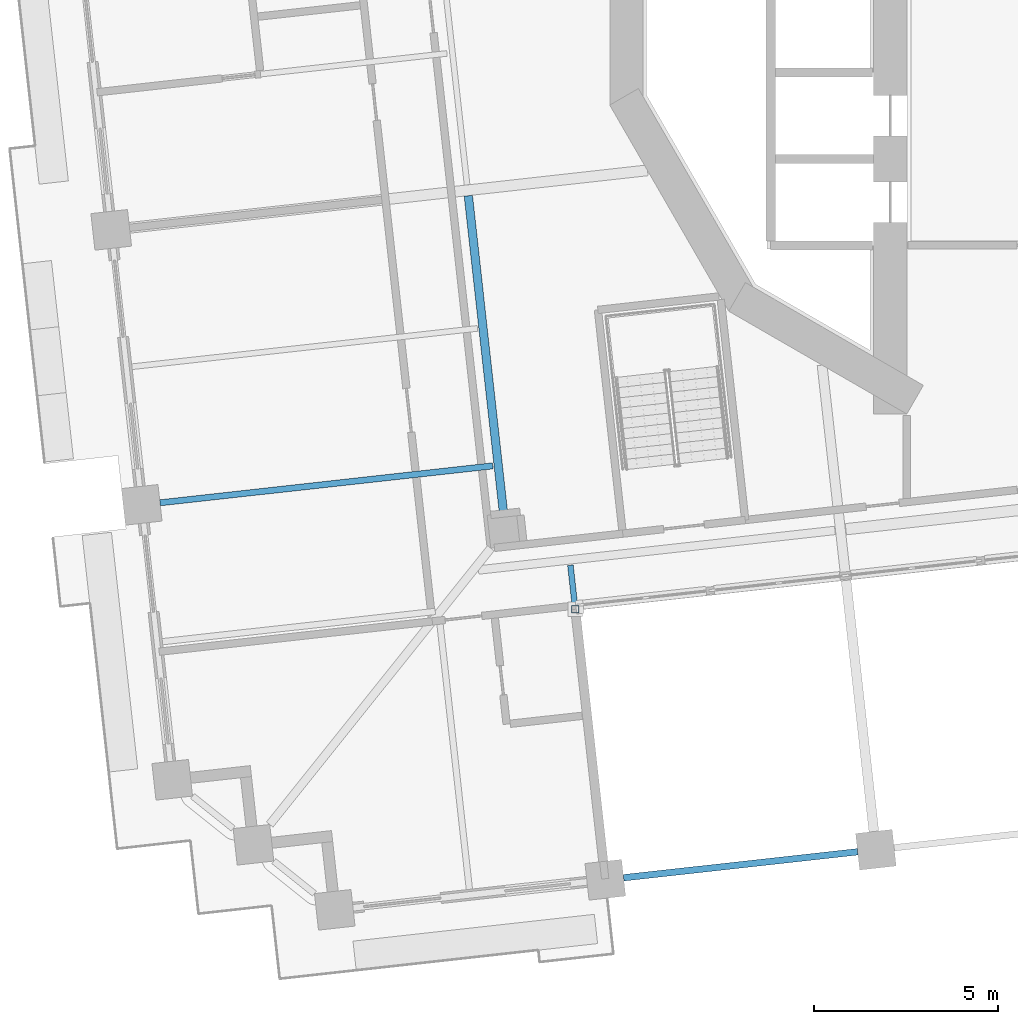
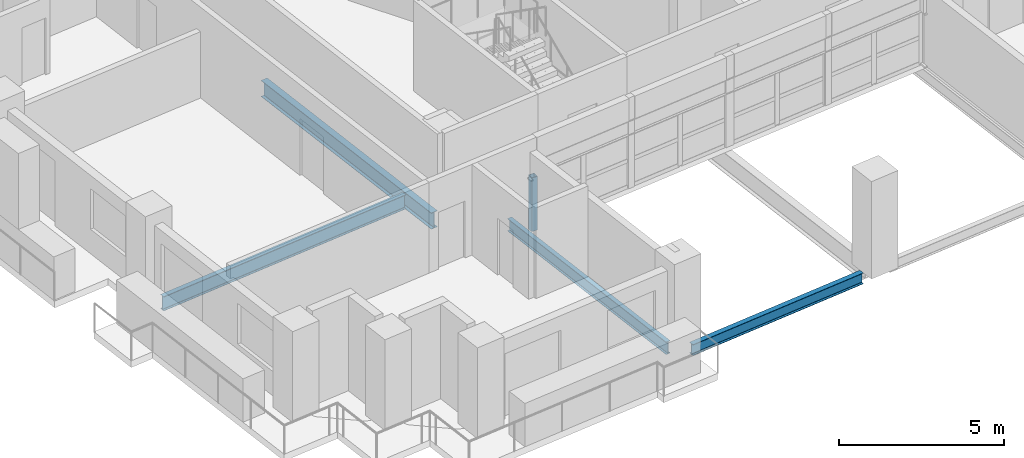
# One storey, part 2 of 21: 4 beams, 1 member.
"""IFC4 building model written with IfcOpenShell, lengths in metres."""

import ifcopenshell
import ifcopenshell.guid

model = None  # the IFC model being written
_history = None  # IfcOwnerHistory: only IFC2X3 demands one
_inside = {}  # id of a spatial element -> (the spatial element, [elements in it])
_under = {}  # id of a project, library or spatial element -> (it, [spatial elements below it])
_declared = {}  # id of a project -> (the project, [libraries it declares])
_typed = {}  # id of a type object -> (the type object, [elements of that type])
_made_of = {}  # id of a material, layer set ... -> (it, [elements and type objects made of it])


def new_model(schema):
    """Start an empty IFC model of exactly this schema.

    Asked for "IFC4X3", IfcOpenShell would pick the latest addendum, in which some entities
    have other attributes; the version numbers below select the first issue.
    IFC2X3 requires an IfcOwnerHistory on every rooted entity: one is made here for all.
    """
    global model, _history
    if schema == "IFC4X3":
        model = ifcopenshell.file(schema_version=(4, 3, 0, 0))
    else:
        model = ifcopenshell.file(schema=schema)
    _inside.clear()
    _under.clear()
    _declared.clear()
    _typed.clear()
    _made_of.clear()
    _history = None
    if model.schema == "IFC2X3":
        org = make("IfcOrganization", Name="unknown")
        user = make(
            "IfcPersonAndOrganization",
            ThePerson=make("IfcPerson", FamilyName="unknown"),
            TheOrganization=org,
        )
        app = make(
            "IfcApplication",
            ApplicationDeveloper=org,
            Version="unknown",
            ApplicationFullName="unknown",
            ApplicationIdentifier="unknown",
        )
        _history = make(
            "IfcOwnerHistory",
            OwningUser=user,
            OwningApplication=app,
            ChangeAction="ADDED",
            CreationDate=0,
        )
    return model


def make(cls, **values):
    """One entity of the class cls with the attributes given. An attribute that is None is left unset."""
    return model.create_entity(
        cls, **{name: value for name, value in values.items() if value is not None}
    )


def rooted(cls, **values):
    """An entity with a GlobalId (a new one), such as an element, a storey or a relation."""
    return make(cls, GlobalId=ifcopenshell.guid.new(), OwnerHistory=_history, **values)


def si_unit(unit_type, name, prefix=None):
    """IfcSIUnit, for example si_unit("LENGTHUNIT", "METRE", prefix="MILLI")."""
    return make("IfcSIUnit", UnitType=unit_type, Prefix=prefix, Name=name)


def assignment(units):
    """IfcUnitAssignment: the units of a project."""
    return None if units is None else make("IfcUnitAssignment", Units=units)


def point(xyz):
    """IfcCartesianPoint."""
    return None if xyz is None else make("IfcCartesianPoint", Coordinates=xyz)


def direction(xyz):
    """IfcDirection."""
    return None if xyz is None else make("IfcDirection", DirectionRatios=xyz)


def frame(location, z_axis=None, x_axis=None):
    """IfcAxis2Placement3D, a coordinate frame: its origin and axes. An axis left out is left unset."""
    return make(
        "IfcAxis2Placement3D",
        Location=point(location),
        Axis=direction(z_axis),
        RefDirection=direction(x_axis),
    )


def frame_2d(location, x_axis=None):
    """IfcAxis2Placement2D, a coordinate frame in the plane: its origin and x axis."""
    return make(
        "IfcAxis2Placement2D", Location=point(location), RefDirection=direction(x_axis)
    )


def origin():
    """The frame at (0, 0, 0) with its axes left unset."""
    return frame((0.0, 0.0, 0.0))


def origin_2d():
    """The frame at (0, 0) in the plane with its x axis left unset."""
    return frame_2d((0.0, 0.0))


def place(relative_to, where):
    """IfcLocalPlacement: puts the frame where relative to a parent placement (None: the world)."""
    return make(
        "IfcLocalPlacement", PlacementRelTo=relative_to, RelativePlacement=where
    )


def context(
    kind, dimensions, precision=None, world=None, true_north=None, identifier=None
):
    """IfcGeometricRepresentationContext, for example the 3D "Model" context."""
    return make(
        "IfcGeometricRepresentationContext",
        ContextIdentifier=identifier,
        ContextType=kind,
        CoordinateSpaceDimension=dimensions,
        Precision=precision,
        WorldCoordinateSystem=world,
        TrueNorth=true_north,
    )


def subcontext(parent, identifier, kind, view, scale=None):
    """IfcGeometricRepresentationSubContext, for example "Body" below "Model"."""
    return make(
        "IfcGeometricRepresentationSubContext",
        ContextIdentifier=identifier,
        ContextType=kind,
        ParentContext=parent,
        TargetScale=scale,
        TargetView=view,
    )


def project(units=None, contexts=None):
    """IfcProject with its units and contexts."""
    return rooted(
        "IfcProject",
        Name="project",
        RepresentationContexts=contexts,
        UnitsInContext=assignment(units),
    )


def spatial(cls, under=None, at=None, **own):
    """A site, building, storey or space (cls), placed at a placement, below another one or the project."""
    s = rooted(cls, ObjectPlacement=at, **own)
    if under is not None:
        _under.setdefault(under.id(), (under, []))[1].append(s)
    return s


def profile(cls, at=None, kind="AREA", **sizes):
    """A parametric profile (cls). Its sizes go by their IFC names, for example OverallWidth=200.0."""
    return make(cls, ProfileType=kind, Position=at, **sizes)


def hollow_rectangle(**sizes):
    """IfcRectangleHollowProfileDef."""
    return profile("IfcRectangleHollowProfileDef", **sizes)


def i_section(**sizes):
    """IfcIShapeProfileDef."""
    return profile("IfcIShapeProfileDef", **sizes)


def extrude(swept, where, along, depth):
    """IfcExtrudedAreaSolid: the profile swept, set in the frame where, extruded along a direction by depth."""
    return make(
        "IfcExtrudedAreaSolid",
        SweptArea=swept,
        Position=where,
        ExtrudedDirection=direction(along),
        Depth=depth,
    )


def shape(context_of_items, identifier, shape_type, items):
    """IfcShapeRepresentation: the items that make up one representation, for example the "Body"."""
    return make(
        "IfcShapeRepresentation",
        ContextOfItems=context_of_items,
        RepresentationIdentifier=identifier,
        RepresentationType=shape_type,
        Items=items,
    )


def material(Name=None, Category=None):
    """IfcMaterial."""
    return make("IfcMaterial", Name=Name, Category=Category)


def material_profile(
    of_material, cross_section, Name=None, Category=None, Priority=None
):
    """IfcMaterialProfile: a cross section and its material."""
    return make(
        "IfcMaterialProfile",
        Name=Name,
        Material=of_material,
        Profile=cross_section,
        Priority=Priority,
        Category=Category,
    )


def profile_set(profiles, Name=None, composite=None):
    """IfcMaterialProfileSet."""
    return make(
        "IfcMaterialProfileSet",
        Name=Name,
        MaterialProfiles=profiles,
        CompositeProfile=composite,
    )


def made_of(thing, what):
    """Note that an element or type object is made of a material, layer set ...; save() writes the relation."""
    if what is not None:
        _made_of.setdefault(what.id(), (what, []))[1].append(thing)
    return thing


def type_object(cls, material=None, **own):
    """A type object (cls), such as IfcWallType, which elements share."""
    return made_of(rooted(cls, **own), material)


def element(
    cls,
    number,
    at=None,
    inside=None,
    cuts=None,
    type_object=None,
    material=None,
    context=None,
    identifier="Body",
    shape_type=None,
    held_by="IfcProductDefinitionShape",
    body=None,
    shapes=None,
    **own,
):
    """One element of the class cls, such as IfcWall. Its Tag is "e" and its number.

    at: its placement. inside: the storey or other place that contains it. cuts: it is an
    opening in that element (IfcRelVoidsElement). A single representation is given by context,
    identifier, shape_type and body (its items); several are given by shapes. held_by: the class
    of the entity that holds the representations. save() writes the other relations.
    """
    e = rooted(cls, Tag="e%d" % number, ObjectPlacement=at, **own)
    if body is not None:
        shapes = [shape(context, identifier, shape_type, body)]
    if shapes is not None:
        e.Representation = make(held_by, Representations=shapes)
    if inside is not None:
        _inside.setdefault(inside.id(), (inside, []))[1].append(e)
    if cuts is not None:
        rooted(
            "IfcRelVoidsElement", RelatingBuildingElement=cuts, RelatedOpeningElement=e
        )
    if type_object is not None:
        _typed.setdefault(type_object.id(), (type_object, []))[1].append(e)
    return made_of(e, material)


def aggregate(whole, parts):
    """IfcRelAggregates: a whole, such as a stair, and the parts it consists of."""
    return rooted("IfcRelAggregates", RelatingObject=whole, RelatedObjects=parts)


def save(model, path):
    """Write the relations noted so far, then the file.

    IfcRelAggregates (storeys below a building ...), IfcRelContainedInSpatialStructure (elements
    in a storey), IfcRelDefinesByType, IfcRelAssociatesMaterial and IfcRelDeclares: one each for
    every whole, place, type object, material and project.
    """
    for whole, parts in _under.values():
        aggregate(whole, parts)
    for where, things in _inside.values():
        rooted(
            "IfcRelContainedInSpatialStructure",
            RelatedElements=things,
            RelatingStructure=where,
        )
    for kind, things in _typed.values():
        rooted("IfcRelDefinesByType", RelatedObjects=things, RelatingType=kind)
    for what, things in _made_of.values():
        rooted("IfcRelAssociatesMaterial", RelatedObjects=things, RelatingMaterial=what)
    for by, libraries in _declared.values():
        rooted("IfcRelDeclares", RelatingContext=by, RelatedDefinitions=libraries)
    model.write(path)


model = new_model("IFC4")

# Units and contexts
model_context = context("Model", 3, precision=1e-05, world=origin(), true_north=direction((0.0, 1.0)))
body_context = subcontext(model_context, "Body", "Model", "MODEL_VIEW")
ifc_project = project(units=[si_unit("LENGTHUNIT", "METRE"), si_unit("AREAUNIT", "SQUARE_METRE"), si_unit("VOLUMEUNIT", "CUBIC_METRE"), si_unit("PLANEANGLEUNIT", "RADIAN"), si_unit("MASSUNIT", "GRAM", prefix="KILO")], contexts=[model_context])

# Site, building, storey
site_placement = place(None, origin())
site = spatial("IfcSite", under=ifc_project, at=site_placement, CompositionType="ELEMENT")
building_placement = place(site_placement, origin())
building = spatial("IfcBuilding", under=site, at=building_placement, Name="Cantera Rosa Tower", CompositionType="ELEMENT")
storey_placement = place(building_placement, frame((0.0, 0.0, 80.5)))
storey = spatial("IfcBuildingStorey", under=building, at=storey_placement, Name="L17", CompositionType="ELEMENT", Elevation=80.5)

# Member
ifc_material_1 = material(Name="Steel ASTM A992 (Fy 345 MPa)", Category="steel")
ifc_material_profile_1 = material_profile(ifc_material_1, hollow_rectangle(XDim=0.199951171875, YDim=0.199951171875, WallThickness=0.010009765625, at=origin_2d()), Name="LINTEL POST RHS 200x200x10")
ifc_profile_set_1 = profile_set([ifc_material_profile_1], Name="Steel ASTM A992 (Fy 345 MPa)")
member_type = type_object("IfcMemberType", Name="LINTEL POST RHS 200x200x10", PredefinedType="USERDEFINED", material=ifc_profile_set_1)
member_placement = place(storey_placement, frame((-13.010986328125, -16.938720703125, 0.0), z_axis=(0.0, 0.0, 1.0), x_axis=(1.0, 0.0, 0.0)))
element("IfcMember", 1, at=member_placement, inside=storey, type_object=member_type, Name="LINTEL POST L17-1", ObjectType="LINTEL POST", PredefinedType="USERDEFINED", context=body_context, shape_type="SweptSolid", body=[
    extrude(hollow_rectangle(XDim=0.199951171875, YDim=0.199951171875, WallThickness=0.010009765625, at=origin_2d()), origin(), (0.0, 0.0, 1.0), 1.988037109375),
])

# Beams
ifc_material_2 = material(Name="Steel ASTM A992 (Fy 345 MPa)", Category="steel")
ifc_material_profile_2 = material_profile(ifc_material_2, i_section(OverallWidth=0.154052734375, OverallDepth=0.4599609375, WebThickness=0.009033203125, FlangeThickness=0.015380859375, FilletRadius=0.01025390625, at=origin_2d()), Name="W460X68")
ifc_profile_set_2 = profile_set([ifc_material_profile_2], Name="Steel ASTM A992 (Fy 345 MPa)")
beam_type_1 = type_object("IfcBeamType", Name="STEEL BEAM W460X68", PredefinedType="BEAM", material=ifc_profile_set_2)
beam_1_placement = place(storey_placement, frame((-12.249755859375, -23.796630859375, -0.47998046875), z_axis=(-0.110312435488, 0.993896959738, 0.0), x_axis=(-0.993896959738, -0.110312435488, 0.0)))
element("IfcBeam", 2, at=beam_1_placement, inside=storey, type_object=beam_type_1, Name="G-Z1-10 L17", PredefinedType="BEAM", context=body_context, shape_type="SweptSolid", body=[
    extrude(i_section(OverallWidth=0.154052734375, OverallDepth=0.4599609375, WebThickness=0.009033203125, FlangeThickness=0.015380859375, FilletRadius=0.01025390625, at=origin_2d()), origin(), (0.0, 0.0, 1.0), 8.10009765625),
])
ifc_material_3 = material(Name="Steel ASTM A992 (Fy 345 MPa)", Category="steel")
ifc_material_profile_3 = material_profile(ifc_material_3, i_section(OverallWidth=0.166015625, OverallDepth=0.528076171875, WebThickness=0.009765625, FlangeThickness=0.013671875, FilletRadius=0.0126953125, at=origin_2d()), Name="W530X74")
ifc_profile_set_3 = profile_set([ifc_material_profile_3], Name="Steel ASTM A992 (Fy 345 MPa)")
beam_type_2 = type_object("IfcBeamType", Name="STEEL BEAM W530X74", PredefinedType="BEAM", material=ifc_profile_set_3)
beam_2_placement = place(storey_placement, frame((-24.298828125, -14.046142578125, -0.513916015625), z_axis=(0.993896161189, 0.110319630049, 0.0), x_axis=(-0.110319630049, 0.993896161189, 0.0)))
element("IfcBeam", 3, at=beam_2_placement, inside=storey, type_object=beam_type_2, Name="G-Z1-18 L17", PredefinedType="BEAM", context=body_context, shape_type="SweptSolid", body=[
    extrude(i_section(OverallWidth=0.166015625, OverallDepth=0.528076171875, WebThickness=0.009765625, FlangeThickness=0.013671875, FilletRadius=0.0126953125, at=origin_2d()), origin(), (0.0, 0.0, 1.0), 9.10009765625),
])
ifc_material_4 = material(Name="Steel ASTM A992 (Fy 345 MPa)", Category="steel")
ifc_material_profile_4 = material_profile(ifc_material_4, i_section(OverallWidth=0.22802734375, OverallDepth=0.60205078125, WebThickness=0.010498046875, FlangeThickness=0.014892578125, FilletRadius=0.0126953125, at=origin_2d()), Name="W610X101")
ifc_profile_set_4 = profile_set([ifc_material_profile_4], Name="Steel ASTM A992 (Fy 345 MPa)")
beam_type_3 = type_object("IfcBeamType", Name="STEEL BEAM W610X101", PredefinedType="BEAM", material=ifc_profile_set_4)
beam_3_placement = place(storey_placement, frame((-14.959716796875, -14.337646484375, -0.551025390625), z_axis=(-0.110298932846, 0.993898458301, 0.0), x_axis=(-0.993898458301, -0.110298932846, 0.0)))
element("IfcBeam", 4, at=beam_3_placement, inside=storey, type_object=beam_type_3, Name="RB-Z1-10 L17", PredefinedType="BEAM", context=body_context, shape_type="SweptSolid", body=[
    extrude(i_section(OverallWidth=0.22802734375, OverallDepth=0.60205078125, WebThickness=0.010498046875, FlangeThickness=0.014892578125, FilletRadius=0.0126953125, at=origin_2d()), origin(), (0.0, 0.0, 1.0), 8.68994140625),
])
ifc_material_5 = material(Name="Steel ASTM A992 (Fy 345 MPa)", Category="steel")
ifc_material_profile_5 = material_profile(ifc_material_5, i_section(OverallWidth=0.177978515625, OverallDepth=0.406005859375, WebThickness=0.0078125, FlangeThickness=0.0126953125, FilletRadius=0.01025390625, at=origin_2d()), Name="W410X60")
ifc_profile_set_5 = profile_set([ifc_material_profile_5], Name="Steel ASTM A992 (Fy 345 MPa)")
beam_type_4 = type_object("IfcBeamType", Name="STEEL SPANDREL BEAM W410X60", PredefinedType="SPANDREL", material=ifc_profile_set_5)
beam_4_placement = place(storey_placement, frame((-11.697509765625, -24.23828125, -0.452880859375), z_axis=(0.993895824271, 0.110322665379, 0.0), x_axis=(-0.110322665379, 0.993895824271, 0.0)))
element("IfcBeam", 5, at=beam_4_placement, inside=storey, type_object=beam_type_4, Name="EB-Z1-24 L17", PredefinedType="SPANDREL", context=body_context, shape_type="SweptSolid", body=[
    extrude(i_section(OverallWidth=0.177978515625, OverallDepth=0.406005859375, WebThickness=0.0078125, FlangeThickness=0.0126953125, FilletRadius=0.01025390625, at=origin_2d()), origin(), (0.0, 0.0, 1.0), 6.39990234375),
])

save(model, "model.ifc")
